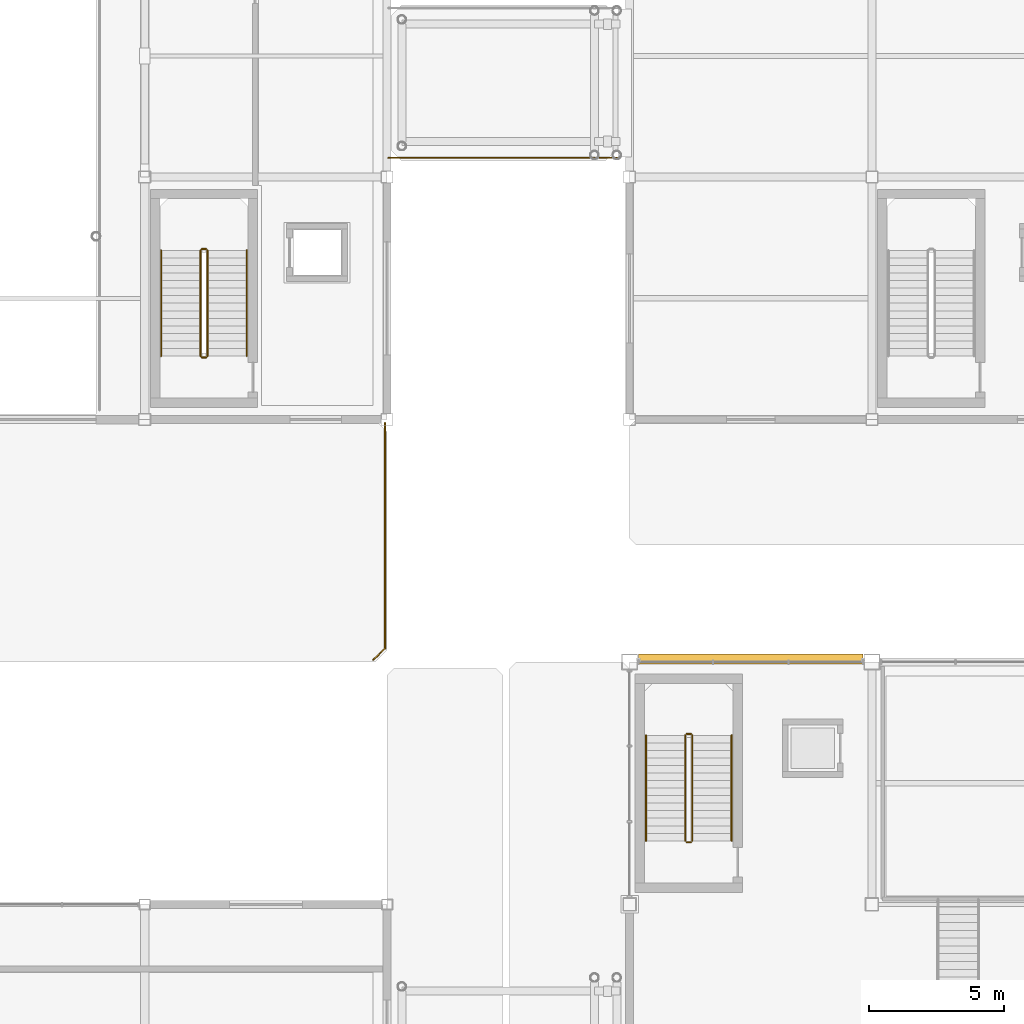
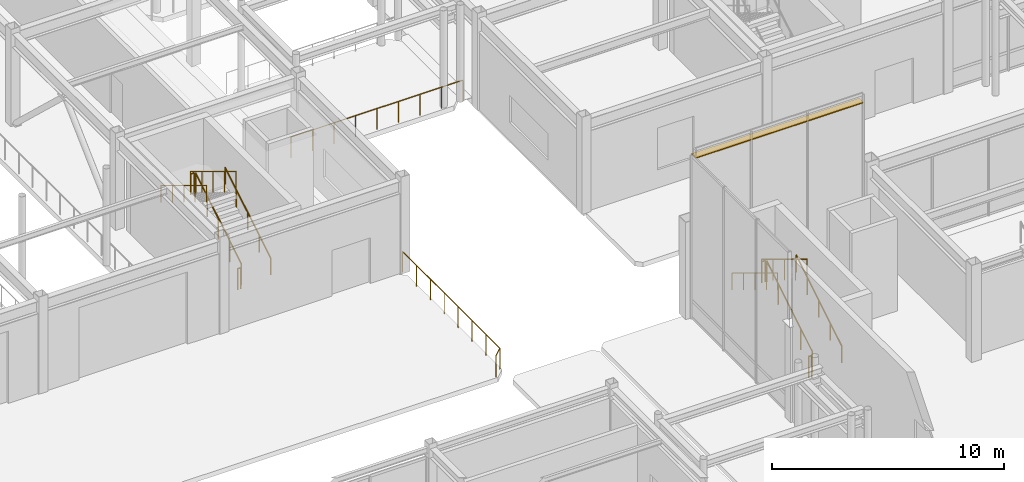
# One storey, part 110 of 123: 14 railings, 1 shading device.
"""IFC4 building model written with IfcOpenShell, lengths in metres."""

import ifcopenshell
import ifcopenshell.guid

model = None  # the IFC model being written
_history = None  # IfcOwnerHistory: only IFC2X3 demands one
_inside = {}  # id of a spatial element -> (the spatial element, [elements in it])
_under = {}  # id of a project, library or spatial element -> (it, [spatial elements below it])
_declared = {}  # id of a project -> (the project, [libraries it declares])
_typed = {}  # id of a type object -> (the type object, [elements of that type])
_made_of = {}  # id of a material, layer set ... -> (it, [elements and type objects made of it])


def new_model(schema):
    """Start an empty IFC model of exactly this schema.

    Asked for "IFC4X3", IfcOpenShell would pick the latest addendum, in which some entities
    have other attributes; the version numbers below select the first issue.
    IFC2X3 requires an IfcOwnerHistory on every rooted entity: one is made here for all.
    """
    global model, _history
    if schema == "IFC4X3":
        model = ifcopenshell.file(schema_version=(4, 3, 0, 0))
    else:
        model = ifcopenshell.file(schema=schema)
    _inside.clear()
    _under.clear()
    _declared.clear()
    _typed.clear()
    _made_of.clear()
    _history = None
    if model.schema == "IFC2X3":
        org = make("IfcOrganization", Name="unknown")
        user = make(
            "IfcPersonAndOrganization",
            ThePerson=make("IfcPerson", FamilyName="unknown"),
            TheOrganization=org,
        )
        app = make(
            "IfcApplication",
            ApplicationDeveloper=org,
            Version="unknown",
            ApplicationFullName="unknown",
            ApplicationIdentifier="unknown",
        )
        _history = make(
            "IfcOwnerHistory",
            OwningUser=user,
            OwningApplication=app,
            ChangeAction="ADDED",
            CreationDate=0,
        )
    return model


def make(cls, **values):
    """One entity of the class cls with the attributes given. An attribute that is None is left unset."""
    return model.create_entity(
        cls, **{name: value for name, value in values.items() if value is not None}
    )


def rooted(cls, **values):
    """An entity with a GlobalId (a new one), such as an element, a storey or a relation."""
    return make(cls, GlobalId=ifcopenshell.guid.new(), OwnerHistory=_history, **values)


def si_unit(unit_type, name, prefix=None):
    """IfcSIUnit, for example si_unit("LENGTHUNIT", "METRE", prefix="MILLI")."""
    return make("IfcSIUnit", UnitType=unit_type, Prefix=prefix, Name=name)


def assignment(units):
    """IfcUnitAssignment: the units of a project."""
    return None if units is None else make("IfcUnitAssignment", Units=units)


def point(xyz):
    """IfcCartesianPoint."""
    return None if xyz is None else make("IfcCartesianPoint", Coordinates=xyz)


def direction(xyz):
    """IfcDirection."""
    return None if xyz is None else make("IfcDirection", DirectionRatios=xyz)


def frame(location, z_axis=None, x_axis=None):
    """IfcAxis2Placement3D, a coordinate frame: its origin and axes. An axis left out is left unset."""
    return make(
        "IfcAxis2Placement3D",
        Location=point(location),
        Axis=direction(z_axis),
        RefDirection=direction(x_axis),
    )


def frame_2d(location, x_axis=None):
    """IfcAxis2Placement2D, a coordinate frame in the plane: its origin and x axis."""
    return make(
        "IfcAxis2Placement2D", Location=point(location), RefDirection=direction(x_axis)
    )


def origin():
    """The frame at (0, 0, 0) with its axes left unset."""
    return frame((0.0, 0.0, 0.0))


def origin_2d():
    """The frame at (0, 0) in the plane with its x axis left unset."""
    return frame_2d((0.0, 0.0))


def place(relative_to, where):
    """IfcLocalPlacement: puts the frame where relative to a parent placement (None: the world)."""
    return make(
        "IfcLocalPlacement", PlacementRelTo=relative_to, RelativePlacement=where
    )


def context(
    kind, dimensions, precision=None, world=None, true_north=None, identifier=None
):
    """IfcGeometricRepresentationContext, for example the 3D "Model" context."""
    return make(
        "IfcGeometricRepresentationContext",
        ContextIdentifier=identifier,
        ContextType=kind,
        CoordinateSpaceDimension=dimensions,
        Precision=precision,
        WorldCoordinateSystem=world,
        TrueNorth=true_north,
    )


def subcontext(parent, identifier, kind, view, scale=None):
    """IfcGeometricRepresentationSubContext, for example "Body" below "Model"."""
    return make(
        "IfcGeometricRepresentationSubContext",
        ContextIdentifier=identifier,
        ContextType=kind,
        ParentContext=parent,
        TargetScale=scale,
        TargetView=view,
    )


def project(units=None, contexts=None):
    """IfcProject with its units and contexts."""
    return rooted(
        "IfcProject",
        Name="project",
        RepresentationContexts=contexts,
        UnitsInContext=assignment(units),
    )


def spatial(cls, under=None, at=None, **own):
    """A site, building, storey or space (cls), placed at a placement, below another one or the project."""
    s = rooted(cls, ObjectPlacement=at, **own)
    if under is not None:
        _under.setdefault(under.id(), (under, []))[1].append(s)
    return s


def profile(cls, at=None, kind="AREA", **sizes):
    """A parametric profile (cls). Its sizes go by their IFC names, for example OverallWidth=200.0."""
    return make(cls, ProfileType=kind, Position=at, **sizes)


def rectangle(**sizes):
    """IfcRectangleProfileDef."""
    return profile("IfcRectangleProfileDef", **sizes)


def circle(**sizes):
    """IfcCircleProfileDef."""
    return profile("IfcCircleProfileDef", **sizes)


def extrude(swept, where, along, depth):
    """IfcExtrudedAreaSolid: the profile swept, set in the frame where, extruded along a direction by depth."""
    return make(
        "IfcExtrudedAreaSolid",
        SweptArea=swept,
        Position=where,
        ExtrudedDirection=direction(along),
        Depth=depth,
    )


def shape(context_of_items, identifier, shape_type, items):
    """IfcShapeRepresentation: the items that make up one representation, for example the "Body"."""
    return make(
        "IfcShapeRepresentation",
        ContextOfItems=context_of_items,
        RepresentationIdentifier=identifier,
        RepresentationType=shape_type,
        Items=items,
    )


def material(Name=None, Category=None):
    """IfcMaterial."""
    return make("IfcMaterial", Name=Name, Category=Category)


def material_profile(
    of_material, cross_section, Name=None, Category=None, Priority=None
):
    """IfcMaterialProfile: a cross section and its material."""
    return make(
        "IfcMaterialProfile",
        Name=Name,
        Material=of_material,
        Profile=cross_section,
        Priority=Priority,
        Category=Category,
    )


def profile_set(profiles, Name=None, composite=None):
    """IfcMaterialProfileSet."""
    return make(
        "IfcMaterialProfileSet",
        Name=Name,
        MaterialProfiles=profiles,
        CompositeProfile=composite,
    )


def made_of(thing, what):
    """Note that an element or type object is made of a material, layer set ...; save() writes the relation."""
    if what is not None:
        _made_of.setdefault(what.id(), (what, []))[1].append(thing)
    return thing


def type_object(cls, material=None, **own):
    """A type object (cls), such as IfcWallType, which elements share."""
    return made_of(rooted(cls, **own), material)


def element(
    cls,
    number,
    at=None,
    inside=None,
    cuts=None,
    type_object=None,
    material=None,
    context=None,
    identifier="Body",
    shape_type=None,
    held_by="IfcProductDefinitionShape",
    body=None,
    shapes=None,
    **own,
):
    """One element of the class cls, such as IfcWall. Its Tag is "e" and its number.

    at: its placement. inside: the storey or other place that contains it. cuts: it is an
    opening in that element (IfcRelVoidsElement). A single representation is given by context,
    identifier, shape_type and body (its items); several are given by shapes. held_by: the class
    of the entity that holds the representations. save() writes the other relations.
    """
    e = rooted(cls, Tag="e%d" % number, ObjectPlacement=at, **own)
    if body is not None:
        shapes = [shape(context, identifier, shape_type, body)]
    if shapes is not None:
        e.Representation = make(held_by, Representations=shapes)
    if inside is not None:
        _inside.setdefault(inside.id(), (inside, []))[1].append(e)
    if cuts is not None:
        rooted(
            "IfcRelVoidsElement", RelatingBuildingElement=cuts, RelatedOpeningElement=e
        )
    if type_object is not None:
        _typed.setdefault(type_object.id(), (type_object, []))[1].append(e)
    return made_of(e, material)


def aggregate(whole, parts):
    """IfcRelAggregates: a whole, such as a stair, and the parts it consists of."""
    return rooted("IfcRelAggregates", RelatingObject=whole, RelatedObjects=parts)


def save(model, path):
    """Write the relations noted so far, then the file.

    IfcRelAggregates (storeys below a building ...), IfcRelContainedInSpatialStructure (elements
    in a storey), IfcRelDefinesByType, IfcRelAssociatesMaterial and IfcRelDeclares: one each for
    every whole, place, type object, material and project.
    """
    for whole, parts in _under.values():
        aggregate(whole, parts)
    for where, things in _inside.values():
        rooted(
            "IfcRelContainedInSpatialStructure",
            RelatedElements=things,
            RelatingStructure=where,
        )
    for kind, things in _typed.values():
        rooted("IfcRelDefinesByType", RelatedObjects=things, RelatingType=kind)
    for what, things in _made_of.values():
        rooted("IfcRelAssociatesMaterial", RelatedObjects=things, RelatingMaterial=what)
    for by, libraries in _declared.values():
        rooted("IfcRelDeclares", RelatingContext=by, RelatedDefinitions=libraries)
    model.write(path)


model = new_model("IFC4")

# Units and contexts
model_context = context("Model", 3, precision=1e-05, world=origin(), true_north=direction((0.0, 1.0)))
body_context = subcontext(model_context, "Body", "Model", "MODEL_VIEW")
ifc_project = project(units=[si_unit("LENGTHUNIT", "METRE"), si_unit("AREAUNIT", "SQUARE_METRE"), si_unit("VOLUMEUNIT", "CUBIC_METRE"), si_unit("PLANEANGLEUNIT", "RADIAN"), si_unit("MASSUNIT", "GRAM", prefix="KILO")], contexts=[model_context])

# Site, building, storey
site_placement = place(None, origin())
site = spatial("IfcSite", under=ifc_project, at=site_placement, CompositionType="ELEMENT")
building_placement = place(site_placement, origin())
building = spatial("IfcBuilding", under=site, at=building_placement, Name="Suzunagisa Mobility Hub", CompositionType="ELEMENT")
storey_placement = place(building_placement, origin())
storey = spatial("IfcBuildingStorey", under=building, at=storey_placement, Name="L00", CompositionType="ELEMENT", Elevation=0.0)

# Railings
ifc_material_1 = material(Name="Stainless Steel SUS304", Category="metal")
railing_type_1 = type_object("IfcRailingType", Name="Interior Well Guardrail IGR-01", PredefinedType="GUARDRAIL", material=ifc_material_1)
railing_1_placement = place(storey_placement, frame((47.330078125, 64.360107421875, 0.169921875)))
element("IfcRailing", 1, at=railing_1_placement, inside=storey, type_object=railing_type_1, Name="L00 ST-03 stair guard 1", PredefinedType="GUARDRAIL", context=body_context, shape_type="SweptSolid", body=[
    extrude(circle(Radius=0.02392578125, at=origin_2d()), frame((0.0, 0.0, 1.09619140625), z_axis=(0.0, 0.854770645689, 0.519005918337), x_axis=(-1.0, 0.0, 0.0)), (0.0, 0.0, 1.0), 4.5859375),
    extrude(circle(Radius=0.02099609375, at=origin_2d()), origin(), (0.0, 0.0, 1.0), 1.072021484375),
    extrude(circle(Radius=0.02099609375, at=origin_2d()), frame((0.0, 0.97998046875, 0.594970703125)), (0.0, 0.0, 1.0), 1.072021484375),
    extrude(circle(Radius=0.02099609375, at=origin_2d()), frame((0.0, 1.9599609375, 1.18994140625)), (0.0, 0.0, 1.0), 1.072021484375),
    extrude(circle(Radius=0.02099609375, at=origin_2d()), frame((0.0, 2.93994140625, 1.78515625)), (0.0, 0.0, 1.0), 1.072021484375),
    extrude(circle(Radius=0.02099609375, at=origin_2d()), frame((0.0, 3.919921875, 2.380126953125)), (0.0, 0.0, 1.0), 1.072021484375),
])
railing_2_placement = place(storey_placement, frame((47.280029296875, 68.330078125, 2.550048828125)))
element("IfcRailing", 2, at=railing_2_placement, inside=storey, type_object=railing_type_1, Name="L00 ST-03 stair guard 2", PredefinedType="GUARDRAIL", context=body_context, shape_type="SweptSolid", body=[
    extrude(circle(Radius=0.02392578125, at=origin_2d()), frame((0.0, 0.0, 1.09619140625), z_axis=(-1.0, 0.0, 0.0), x_axis=(0.0, -1.0, 0.0)), (0.0, 0.0, 1.0), 0.159912109375),
    extrude(circle(Radius=0.02099609375, at=origin_2d()), origin(), (0.0, 0.0, 1.0), 1.072021484375),
    extrude(circle(Radius=0.02099609375, at=origin_2d()), frame((-0.159912109375, 0.0, 0.0)), (0.0, 0.0, 1.0), 1.072021484375),
])
railing_3_placement = place(storey_placement, frame((47.070068359375, 68.280029296875, 2.719970703125)))
element("IfcRailing", 3, at=railing_3_placement, inside=storey, type_object=railing_type_1, Name="L00 ST-03 stair guard 3", PredefinedType="GUARDRAIL", context=body_context, shape_type="SweptSolid", body=[
    extrude(circle(Radius=0.02392578125, at=origin_2d()), frame((0.0, 0.0, 1.09619140625), z_axis=(0.0, -0.854770645689, 0.519005918337), x_axis=(1.0, 0.0, 0.0)), (0.0, 0.0, 1.0), 4.5859375),
    extrude(circle(Radius=0.02099609375, at=origin_2d()), origin(), (0.0, 0.0, 1.0), 1.072021484375),
    extrude(circle(Radius=0.02099609375, at=origin_2d()), frame((0.0, -0.97998046875, 0.594970703125)), (0.0, 0.0, 1.0), 1.072021484375),
    extrude(circle(Radius=0.02099609375, at=origin_2d()), frame((0.0, -1.9599609375, 1.18994140625)), (0.0, 0.0, 1.0), 1.072021484375),
    extrude(circle(Radius=0.02099609375, at=origin_2d()), frame((0.0, -2.93994140625, 1.78515625)), (0.0, 0.0, 1.0), 1.072021484375),
    extrude(circle(Radius=0.02099609375, at=origin_2d()), frame((0.0, -3.919921875, 2.380126953125)), (0.0, 0.0, 1.0), 1.072021484375),
])
railing_4_placement = place(storey_placement, frame((47.280029296875, 64.31005859375, 0.0)))
element("IfcRailing", 4, at=railing_4_placement, inside=storey, type_object=railing_type_1, Name="L00 ST-03 stair guard 4", PredefinedType="GUARDRAIL", context=body_context, shape_type="SweptSolid", body=[
    extrude(circle(Radius=0.02392578125, at=origin_2d()), frame((0.0, 0.0, 1.09619140625), z_axis=(-1.0, 0.0, 0.0), x_axis=(0.0, -1.0, 0.0)), (0.0, 0.0, 1.0), 0.159912109375),
    extrude(circle(Radius=0.02099609375, at=origin_2d()), origin(), (0.0, 0.0, 1.0), 1.072021484375),
    extrude(circle(Radius=0.02099609375, at=origin_2d()), frame((-0.159912109375, 0.0, 0.0)), (0.0, 0.0, 1.0), 1.072021484375),
])
railing_5_placement = place(storey_placement, frame((29.330078125, 82.360107421875, 0.169921875)))
element("IfcRailing", 5, at=railing_5_placement, inside=storey, type_object=railing_type_1, Name="L00 ST-05 stair guard 1", PredefinedType="GUARDRAIL", context=body_context, shape_type="SweptSolid", body=[
    extrude(circle(Radius=0.02392578125, at=origin_2d()), frame((0.0, 0.0, 1.09619140625), z_axis=(0.0, 0.854770645689, 0.519005918337), x_axis=(-1.0, 0.0, 0.0)), (0.0, 0.0, 1.0), 4.5859375),
    extrude(circle(Radius=0.02099609375, at=origin_2d()), origin(), (0.0, 0.0, 1.0), 1.072021484375),
    extrude(circle(Radius=0.02099609375, at=origin_2d()), frame((0.0, 0.97998046875, 0.594970703125)), (0.0, 0.0, 1.0), 1.072021484375),
    extrude(circle(Radius=0.02099609375, at=origin_2d()), frame((0.0, 1.9599609375, 1.18994140625)), (0.0, 0.0, 1.0), 1.072021484375),
    extrude(circle(Radius=0.02099609375, at=origin_2d()), frame((0.0, 2.93994140625, 1.78515625)), (0.0, 0.0, 1.0), 1.072021484375),
    extrude(circle(Radius=0.02099609375, at=origin_2d()), frame((0.0, 3.919921875, 2.380126953125)), (0.0, 0.0, 1.0), 1.072021484375),
])
railing_6_placement = place(storey_placement, frame((29.280029296875, 86.330078125, 2.550048828125)))
element("IfcRailing", 6, at=railing_6_placement, inside=storey, type_object=railing_type_1, Name="L00 ST-05 stair guard 2", PredefinedType="GUARDRAIL", context=body_context, shape_type="SweptSolid", body=[
    extrude(circle(Radius=0.02392578125, at=origin_2d()), frame((0.0, 0.0, 1.09619140625), z_axis=(-1.0, 0.0, 0.0), x_axis=(0.0, -1.0, 0.0)), (0.0, 0.0, 1.0), 0.159912109375),
    extrude(circle(Radius=0.02099609375, at=origin_2d()), origin(), (0.0, 0.0, 1.0), 1.072021484375),
    extrude(circle(Radius=0.02099609375, at=origin_2d()), frame((-0.159912109375, 0.0, 0.0)), (0.0, 0.0, 1.0), 1.072021484375),
])
railing_7_placement = place(storey_placement, frame((29.070068359375, 86.280029296875, 2.719970703125)))
element("IfcRailing", 7, at=railing_7_placement, inside=storey, type_object=railing_type_1, Name="L00 ST-05 stair guard 3", PredefinedType="GUARDRAIL", context=body_context, shape_type="SweptSolid", body=[
    extrude(circle(Radius=0.02392578125, at=origin_2d()), frame((0.0, 0.0, 1.09619140625), z_axis=(0.0, -0.854770645689, 0.519005918337), x_axis=(1.0, 0.0, 0.0)), (0.0, 0.0, 1.0), 4.5859375),
    extrude(circle(Radius=0.02099609375, at=origin_2d()), origin(), (0.0, 0.0, 1.0), 1.072021484375),
    extrude(circle(Radius=0.02099609375, at=origin_2d()), frame((0.0, -0.97998046875, 0.594970703125)), (0.0, 0.0, 1.0), 1.072021484375),
    extrude(circle(Radius=0.02099609375, at=origin_2d()), frame((0.0, -1.9599609375, 1.18994140625)), (0.0, 0.0, 1.0), 1.072021484375),
    extrude(circle(Radius=0.02099609375, at=origin_2d()), frame((0.0, -2.93994140625, 1.78515625)), (0.0, 0.0, 1.0), 1.072021484375),
    extrude(circle(Radius=0.02099609375, at=origin_2d()), frame((0.0, -3.919921875, 2.380126953125)), (0.0, 0.0, 1.0), 1.072021484375),
])
railing_8_placement = place(storey_placement, frame((29.280029296875, 82.31005859375, 0.0)))
element("IfcRailing", 8, at=railing_8_placement, inside=storey, type_object=railing_type_1, Name="L00 ST-05 stair guard 4", PredefinedType="GUARDRAIL", context=body_context, shape_type="SweptSolid", body=[
    extrude(circle(Radius=0.02392578125, at=origin_2d()), frame((0.0, 0.0, 1.09619140625), z_axis=(-1.0, 0.0, 0.0), x_axis=(0.0, -1.0, 0.0)), (0.0, 0.0, 1.0), 0.159912109375),
    extrude(circle(Radius=0.02099609375, at=origin_2d()), origin(), (0.0, 0.0, 1.0), 1.072021484375),
    extrude(circle(Radius=0.02099609375, at=origin_2d()), frame((-0.159912109375, 0.0, 0.0)), (0.0, 0.0, 1.0), 1.072021484375),
])
railing_9_placement = place(storey_placement, frame((35.47998046875, 71.080078125, 0.0)))
element("IfcRailing", 9, at=railing_9_placement, inside=storey, type_object=railing_type_1, Name="L00 Ramp Portal Apron East Edge Guardrail APG-2", PredefinedType="GUARDRAIL", context=body_context, shape_type="SweptSolid", body=[
    extrude(circle(Radius=0.02392578125, at=origin_2d()), frame((0.0, 0.0, 1.09619140625), z_axis=(0.723373770906, 0.690456651475, 0.0), x_axis=(-0.690456651475, 0.723373770906, 0.0)), (0.0, 0.0, 1.0), 0.608154296875),
    extrude(circle(Radius=0.02392578125, at=origin_2d()), frame((0.43994140625, 0.419921875, 1.09619140625), z_axis=(0.0, 1.0, 0.0), x_axis=(-1.0, 0.0, 0.0)), (0.0, 0.0, 1.0), 8.3798828125),
    extrude(circle(Radius=0.02099609375, at=origin_2d()), origin(), (0.0, 0.0, 1.0), 1.072021484375),
    extrude(circle(Radius=0.02099609375, at=origin_2d()), frame((0.43994140625, 0.419921875, 0.0)), (0.0, 0.0, 1.0), 1.072021484375),
    extrude(circle(Radius=0.02099609375, at=origin_2d()), frame((0.43994140625, 1.616943359375, 0.0)), (0.0, 0.0, 1.0), 1.072021484375),
    extrude(circle(Radius=0.02099609375, at=origin_2d()), frame((0.43994140625, 2.814208984375, 0.0)), (0.0, 0.0, 1.0), 1.072021484375),
    extrude(circle(Radius=0.02099609375, at=origin_2d()), frame((0.43994140625, 4.01123046875, 0.0)), (0.0, 0.0, 1.0), 1.072021484375),
    extrude(circle(Radius=0.02099609375, at=origin_2d()), frame((0.43994140625, 5.20849609375, 0.0)), (0.0, 0.0, 1.0), 1.072021484375),
    extrude(circle(Radius=0.02099609375, at=origin_2d()), frame((0.43994140625, 6.405517578125, 0.0)), (0.0, 0.0, 1.0), 1.072021484375),
    extrude(circle(Radius=0.02099609375, at=origin_2d()), frame((0.43994140625, 7.602783203125, 0.0)), (0.0, 0.0, 1.0), 1.072021484375),
    extrude(circle(Radius=0.02099609375, at=origin_2d()), frame((0.43994140625, 8.7998046875, 0.0)), (0.0, 0.0, 1.0), 1.072021484375),
])

# Shading device
ifc_material_2 = material(Name="Fluoropolymer-Coated Extruded Aluminum 6063-T5", Category="aluminium")
ifc_material_profile = material_profile(ifc_material_2, rectangle(XDim=0.360107421875, YDim=0.050048828125, at=origin_2d()), Name="FIN-360x50")
ifc_profile_set = profile_set([ifc_material_profile], Name="Fluoropolymer-Coated Extruded Aluminum 6063-T5")
shading_device_type = type_object("IfcShadingDeviceType", Name="Streamline Aluminum Sunshade SF-01 FIN-360x50", PredefinedType="SHUTTER", material=ifc_profile_set)
shading_device_placement = place(storey_placement, frame((53.66748046875, 71.110107421875, 8.1298828125), z_axis=(-1.0, 0.0, 0.0), x_axis=(0.0, -1.0, 0.0)))
element("IfcShadingDevice", 10, at=shading_device_placement, inside=storey, type_object=shading_device_type, Name="L00 Streamline Speed-Rail Sunshade Fin SF-11", PredefinedType="SHUTTER", context=body_context, shape_type="SweptSolid", body=[
    extrude(rectangle(XDim=0.360107421875, YDim=0.050048828125, at=origin_2d()), origin(), (0.0, 0.0, 1.0), 8.3349609375),
])

# Railings
ifc_material_3 = material(Name="Stainless Steel SUS316", Category="metal")
railing_type_2 = type_object("IfcRailingType", Name="Terrace Stainless Steel Guardrail GR-01", PredefinedType="GUARDRAIL", material=ifc_material_3)
railing_10_placement = place(storey_placement, frame((36.050048828125, 89.719970703125, 0.0)))
element("IfcRailing", 11, at=railing_10_placement, inside=storey, type_object=railing_type_2, Name="L00 Bridge Edge Guardrail VRL-L00-S-71", PredefinedType="GUARDRAIL", context=body_context, shape_type="SweptSolid", body=[
    extrude(circle(Radius=0.02392578125, at=origin_2d()), frame((0.0, 0.0, 1.09619140625), z_axis=(1.0, 0.0, 0.0), x_axis=(0.0, 1.0, 0.0)), (0.0, 0.0, 1.0), 8.550048828125),
    extrude(circle(Radius=0.02099609375, at=origin_2d()), origin(), (0.0, 0.0, 1.0), 1.072021484375),
    extrude(circle(Radius=0.02099609375, at=origin_2d()), frame((1.06884765625, 0.0, 0.0)), (0.0, 0.0, 1.0), 1.072021484375),
    extrude(circle(Radius=0.02099609375, at=origin_2d()), frame((2.137451171875, 0.0, 0.0)), (0.0, 0.0, 1.0), 1.072021484375),
    extrude(circle(Radius=0.02099609375, at=origin_2d()), frame((3.206298828125, 0.0, 0.0)), (0.0, 0.0, 1.0), 1.072021484375),
    extrude(circle(Radius=0.02099609375, at=origin_2d()), frame((4.27490234375, 0.0, 0.0)), (0.0, 0.0, 1.0), 1.072021484375),
    extrude(circle(Radius=0.02099609375, at=origin_2d()), frame((5.34375, 0.0, 0.0)), (0.0, 0.0, 1.0), 1.072021484375),
    extrude(circle(Radius=0.02099609375, at=origin_2d()), frame((6.41259765625, 0.0, 0.0)), (0.0, 0.0, 1.0), 1.072021484375),
    extrude(circle(Radius=0.02099609375, at=origin_2d()), frame((7.481201171875, 0.0, 0.0)), (0.0, 0.0, 1.0), 1.072021484375),
    extrude(circle(Radius=0.02099609375, at=origin_2d()), frame((8.550048828125, 0.0, 0.0)), (0.0, 0.0, 1.0), 1.072021484375),
])
railing_type_3 = type_object("IfcRailingType", Name="Tubular Stainless Stair Handrail IHR-01", PredefinedType="HANDRAIL", material=ifc_material_1)
railing_11_placement = place(storey_placement, frame((48.7900390625, 64.360107421875, 0.169921875)))
element("IfcRailing", 12, at=railing_11_placement, inside=storey, type_object=railing_type_3, Name="L00 ST-03 stair handrail 1", PredefinedType="HANDRAIL", context=body_context, shape_type="SweptSolid", body=[
    extrude(circle(Radius=0.02392578125, at=origin_2d()), frame((0.0, 0.0, 0.8759765625), z_axis=(0.0, 0.854770645689, 0.519005918337), x_axis=(-1.0, 0.0, 0.0)), (0.0, 0.0, 1.0), 4.5859375),
    extrude(circle(Radius=0.02099609375, at=origin_2d()), origin(), (0.0, 0.0, 1.0), 0.851806640625),
    extrude(circle(Radius=0.02099609375, at=origin_2d()), frame((0.0, 0.97998046875, 0.594970703125)), (0.0, 0.0, 1.0), 0.851806640625),
    extrude(circle(Radius=0.02099609375, at=origin_2d()), frame((0.0, 1.9599609375, 1.18994140625)), (0.0, 0.0, 1.0), 0.851806640625),
    extrude(circle(Radius=0.02099609375, at=origin_2d()), frame((0.0, 2.93994140625, 1.78515625)), (0.0, 0.0, 1.0), 0.851806640625),
    extrude(circle(Radius=0.02099609375, at=origin_2d()), frame((0.0, 3.919921875, 2.380126953125)), (0.0, 0.0, 1.0), 0.851806640625),
])
railing_12_placement = place(storey_placement, frame((45.610107421875, 68.280029296875, 2.719970703125)))
element("IfcRailing", 13, at=railing_12_placement, inside=storey, type_object=railing_type_3, Name="L00 ST-03 stair handrail 2", PredefinedType="HANDRAIL", context=body_context, shape_type="SweptSolid", body=[
    extrude(circle(Radius=0.02392578125, at=origin_2d()), frame((0.0, 0.0, 0.8759765625), z_axis=(0.0, -0.854770645689, 0.519005918337), x_axis=(1.0, 0.0, 0.0)), (0.0, 0.0, 1.0), 4.5859375),
    extrude(circle(Radius=0.02099609375, at=origin_2d()), origin(), (0.0, 0.0, 1.0), 0.851806640625),
    extrude(circle(Radius=0.02099609375, at=origin_2d()), frame((0.0, -0.97998046875, 0.594970703125)), (0.0, 0.0, 1.0), 0.851806640625),
    extrude(circle(Radius=0.02099609375, at=origin_2d()), frame((0.0, -1.9599609375, 1.18994140625)), (0.0, 0.0, 1.0), 0.851806640625),
    extrude(circle(Radius=0.02099609375, at=origin_2d()), frame((0.0, -2.93994140625, 1.78515625)), (0.0, 0.0, 1.0), 0.851806640625),
    extrude(circle(Radius=0.02099609375, at=origin_2d()), frame((0.0, -3.919921875, 2.380126953125)), (0.0, 0.0, 1.0), 0.851806640625),
])
railing_13_placement = place(storey_placement, frame((30.7900390625, 82.360107421875, 0.169921875)))
element("IfcRailing", 14, at=railing_13_placement, inside=storey, type_object=railing_type_3, Name="L00 ST-05 stair handrail 1", PredefinedType="HANDRAIL", context=body_context, shape_type="SweptSolid", body=[
    extrude(circle(Radius=0.02392578125, at=origin_2d()), frame((0.0, 0.0, 0.8759765625), z_axis=(0.0, 0.854770645689, 0.519005918337), x_axis=(-1.0, 0.0, 0.0)), (0.0, 0.0, 1.0), 4.5859375),
    extrude(circle(Radius=0.02099609375, at=origin_2d()), origin(), (0.0, 0.0, 1.0), 0.851806640625),
    extrude(circle(Radius=0.02099609375, at=origin_2d()), frame((0.0, 0.97998046875, 0.594970703125)), (0.0, 0.0, 1.0), 0.851806640625),
    extrude(circle(Radius=0.02099609375, at=origin_2d()), frame((0.0, 1.9599609375, 1.18994140625)), (0.0, 0.0, 1.0), 0.851806640625),
    extrude(circle(Radius=0.02099609375, at=origin_2d()), frame((0.0, 2.93994140625, 1.78515625)), (0.0, 0.0, 1.0), 0.851806640625),
    extrude(circle(Radius=0.02099609375, at=origin_2d()), frame((0.0, 3.919921875, 2.380126953125)), (0.0, 0.0, 1.0), 0.851806640625),
])
railing_14_placement = place(storey_placement, frame((27.610107421875, 86.280029296875, 2.719970703125)))
element("IfcRailing", 15, at=railing_14_placement, inside=storey, type_object=railing_type_3, Name="L00 ST-05 stair handrail 2", PredefinedType="HANDRAIL", context=body_context, shape_type="SweptSolid", body=[
    extrude(circle(Radius=0.02392578125, at=origin_2d()), frame((0.0, 0.0, 0.8759765625), z_axis=(0.0, -0.854770645689, 0.519005918337), x_axis=(1.0, 0.0, 0.0)), (0.0, 0.0, 1.0), 4.5859375),
    extrude(circle(Radius=0.02099609375, at=origin_2d()), origin(), (0.0, 0.0, 1.0), 0.851806640625),
    extrude(circle(Radius=0.02099609375, at=origin_2d()), frame((0.0, -0.97998046875, 0.594970703125)), (0.0, 0.0, 1.0), 0.851806640625),
    extrude(circle(Radius=0.02099609375, at=origin_2d()), frame((0.0, -1.9599609375, 1.18994140625)), (0.0, 0.0, 1.0), 0.851806640625),
    extrude(circle(Radius=0.02099609375, at=origin_2d()), frame((0.0, -2.93994140625, 1.78515625)), (0.0, 0.0, 1.0), 0.851806640625),
    extrude(circle(Radius=0.02099609375, at=origin_2d()), frame((0.0, -3.919921875, 2.380126953125)), (0.0, 0.0, 1.0), 0.851806640625),
])

save(model, "model.ifc")
